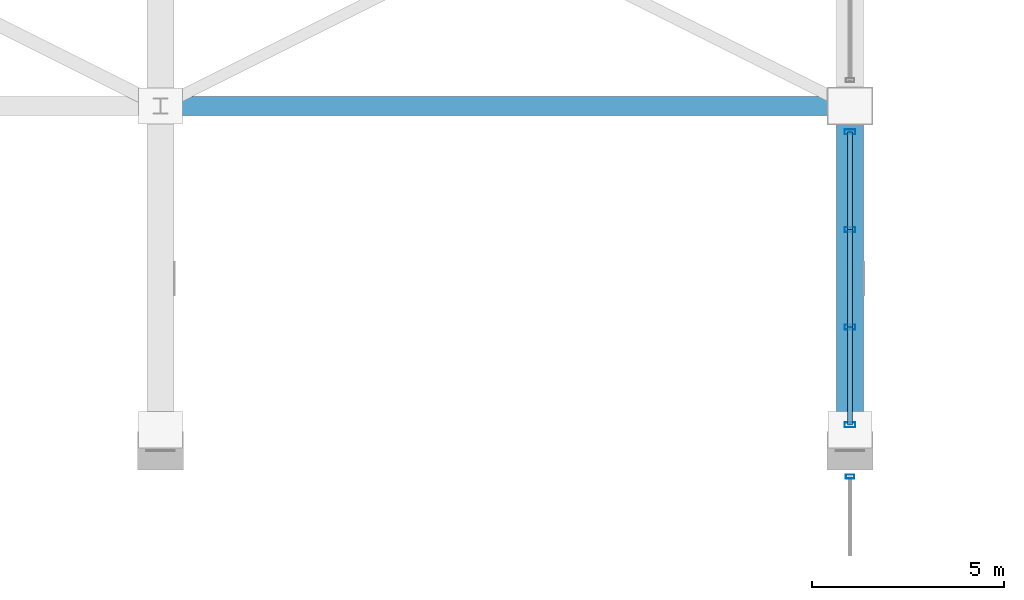
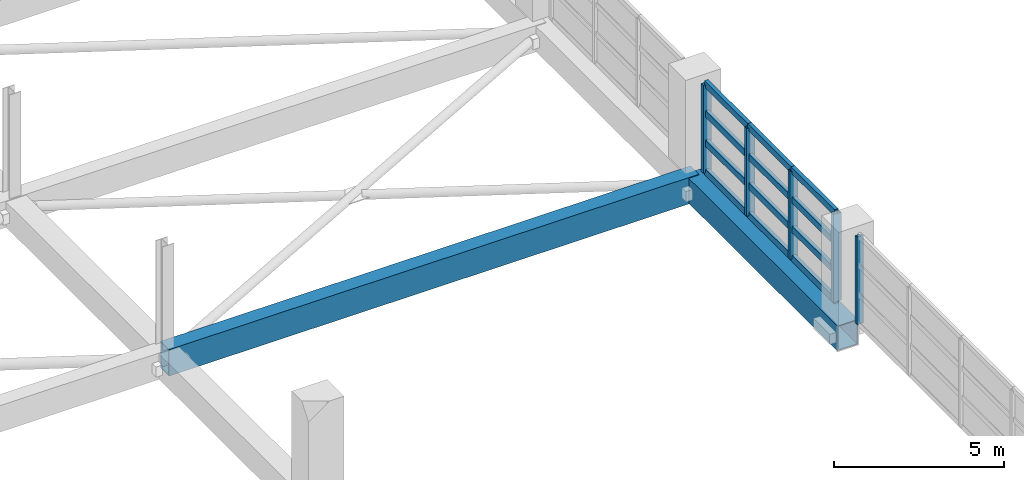
# One storey, part 47 of 116: 17 members, 2 beams, 2 elements without a shape of their own.
"""IFC4 building model written with IfcOpenShell, lengths in metres."""

from ifc_helpers import new_model, si_unit, direction, frame, origin, origin_2d, place, context, subcontext, project, spatial, hollow_rectangle, extrude, material, material_profile, profile_set, type_object, element, aggregate, save


model = new_model("IFC4")

# Units and contexts
model_context = context("Model", 3, precision=1e-05, world=origin(), true_north=direction((0.0, 1.0)))
body_context = subcontext(model_context, "Body", "Model", "MODEL_VIEW")
ifc_project = project(units=[si_unit("LENGTHUNIT", "METRE"), si_unit("AREAUNIT", "SQUARE_METRE"), si_unit("VOLUMEUNIT", "CUBIC_METRE"), si_unit("PLANEANGLEUNIT", "RADIAN"), si_unit("MASSUNIT", "GRAM", prefix="KILO")], contexts=[model_context])

# Site, building, storey
site_placement = place(None, origin())
site = spatial("IfcSite", under=ifc_project, at=site_placement, CompositionType="ELEMENT")
building_placement = place(site_placement, origin())
building = spatial("IfcBuilding", under=site, at=building_placement, Name="Chuanluo Vaults Station", CompositionType="ELEMENT")
storey_placement = place(building_placement, frame((0.0, 0.0, 10.800048828125)))
storey = spatial("IfcBuildingStorey", under=building, at=storey_placement, Name="L02", CompositionType="ELEMENT", Elevation=10.800048828125)

# Beams
ifc_material_1 = material(Name="Steel Q390C", Category="steel")
ifc_material_profile_1 = material_profile(ifc_material_1, hollow_rectangle(XDim=0.5, YDim=0.949951171875, WallThickness=0.028076171875, at=origin_2d()))
ifc_profile_set_1 = profile_set([ifc_material_profile_1], Name="Steel Q390C")
beam_type_1 = type_object("IfcBeamType", Name="BM-TT-TIE", PredefinedType="USERDEFINED", material=ifc_profile_set_1)
beam_1_placement = place(storey_placement, frame((108.0, 76.5, -0.85009765625), z_axis=(1.0, 0.0, 0.0), x_axis=(0.0, 1.0, 0.0)))
element("IfcBeam", 1, at=beam_1_placement, inside=storey, type_object=beam_type_1, Name="Transfer truss top tie girder 7-76", ObjectType="GIRDER", PredefinedType="USERDEFINED", context=body_context, shape_type="SweptSolid", body=[
    extrude(hollow_rectangle(XDim=0.5, YDim=0.949951171875, WallThickness=0.028076171875, at=origin_2d()), origin(), (0.0, 0.0, 1.0), 18.0),
])
ifc_material_2 = material(Name="Steel Q390C", Category="steel")
ifc_material_profile_2 = material_profile(ifc_material_2, hollow_rectangle(XDim=0.699951171875, YDim=0.89990234375, WallThickness=0.035888671875, at=origin_2d()))
ifc_profile_set_2 = profile_set([ifc_material_profile_2], Name="Steel Q390C")
beam_type_2 = type_object("IfcBeamType", Name="BM-TT-TOP", PredefinedType="USERDEFINED", material=ifc_profile_set_2)
beam_2_placement = place(storey_placement, frame((126.0, 67.5, -0.85009765625), z_axis=(0.0, 1.0, 0.0), x_axis=(-1.0, 0.0, 0.0)))
element("IfcBeam", 2, at=beam_2_placement, inside=storey, type_object=beam_type_2, Name="Transfer truss TT-8 top chord 1", ObjectType="GIRDER", PredefinedType="USERDEFINED", context=body_context, shape_type="SweptSolid", body=[
    extrude(hollow_rectangle(XDim=0.699951171875, YDim=0.89990234375, WallThickness=0.035888671875, at=origin_2d()), origin(), (0.0, 0.0, 1.0), 9.0),
])

# Curtain wall, member
ifc_material_3 = material(Name="Anodised aluminium 6063-T6", Category="aluminium")
curtain_wall_type_1 = type_object("IfcCurtainWallType", Name="CW-SYS-12", PredefinedType="NOTDEFINED", material=ifc_material_3)
curtain_wall_1_placement = place(storey_placement, origin())
curtain_wall_1 = element("IfcCurtainWall", 3, at=curtain_wall_1_placement, inside=storey, type_object=curtain_wall_type_1, Name="Train shed east clerestory CW 54", PredefinedType="NOTDEFINED")
ifc_material_4 = material(Name="Anodised aluminium 6063-T6", Category="aluminium")
ifc_material_profile_3 = material_profile(ifc_material_4, hollow_rectangle(XDim=0.10498046875, YDim=0.219970703125, WallThickness=0.006103515625, at=origin_2d()))
ifc_profile_set_3 = profile_set([ifc_material_profile_3], Name="Anodised aluminium 6063-T6")
member_type_1 = type_object("IfcMemberType", Name="CWM-140", PredefinedType="MULLION", material=ifc_profile_set_3)
member_1_placement = place(storey_placement, frame((126.0, 66.824951171875, 0.0), z_axis=(0.0, 0.0, 1.0), x_axis=(0.0, -1.0, 0.0)))
member_1 = element("IfcMember", 4, at=member_1_placement, type_object=member_type_1, Name="Train shed east clerestory CW 54 mullion 1", PredefinedType="MULLION", context=body_context, shape_type="SweptSolid", body=[
    extrude(hollow_rectangle(XDim=0.10498046875, YDim=0.219970703125, WallThickness=0.006103515625, at=origin_2d()), origin(), (0.0, 0.0, 1.0), 3.14990234375),
])
aggregate(curtain_wall_1, [member_1])

# Curtain wall, members
ifc_material_5 = material(Name="Anodised aluminium 6063-T6", Category="aluminium")
curtain_wall_type_2 = type_object("IfcCurtainWallType", Name="CW-SYS-14", PredefinedType="NOTDEFINED", material=ifc_material_5)
curtain_wall_2_placement = place(storey_placement, origin())
curtain_wall_2 = element("IfcCurtainWall", 5, at=curtain_wall_2_placement, inside=storey, type_object=curtain_wall_type_2, Name="Train shed east clerestory CW 67", PredefinedType="NOTDEFINED")
ifc_material_6 = material(Name="Anodised aluminium 6063-T6", Category="aluminium")
ifc_material_profile_4 = material_profile(ifc_material_6, hollow_rectangle(XDim=0.1298828125, YDim=0.280029296875, WallThickness=0.007080078125, at=origin_2d()))
ifc_profile_set_4 = profile_set([ifc_material_profile_4], Name="Anodised aluminium 6063-T6")
member_type_2 = type_object("IfcMemberType", Name="CWM-180", PredefinedType="MULLION", material=ifc_profile_set_4)
member_2_placement = place(storey_placement, frame((126.0, 75.824951171875, 0.0), z_axis=(0.0, 0.0, 1.0), x_axis=(0.0, -1.0, 0.0)))
member_2 = element("IfcMember", 6, at=member_2_placement, type_object=member_type_2, Name="Train shed east clerestory CW 67 mullion 1", PredefinedType="MULLION", context=body_context, shape_type="SweptSolid", body=[
    extrude(hollow_rectangle(XDim=0.1298828125, YDim=0.280029296875, WallThickness=0.007080078125, at=origin_2d()), origin(), (0.0, 0.0, 1.0), 3.14990234375),
])
member_3_placement = place(storey_placement, frame((126.0, 73.27490234375, 0.0), z_axis=(0.0, 0.0, 1.0), x_axis=(0.0, -1.0, 0.0)))
member_3 = element("IfcMember", 7, at=member_3_placement, type_object=member_type_2, Name="Train shed east clerestory CW 67 mullion 2", PredefinedType="MULLION", context=body_context, shape_type="SweptSolid", body=[
    extrude(hollow_rectangle(XDim=0.1298828125, YDim=0.280029296875, WallThickness=0.007080078125, at=origin_2d()), origin(), (0.0, 0.0, 1.0), 3.14990234375),
])
member_4_placement = place(storey_placement, frame((126.0, 70.72509765625, 0.0), z_axis=(0.0, 0.0, 1.0), x_axis=(0.0, -1.0, 0.0)))
member_4 = element("IfcMember", 8, at=member_4_placement, type_object=member_type_2, Name="Train shed east clerestory CW 67 mullion 3", PredefinedType="MULLION", context=body_context, shape_type="SweptSolid", body=[
    extrude(hollow_rectangle(XDim=0.1298828125, YDim=0.280029296875, WallThickness=0.007080078125, at=origin_2d()), origin(), (0.0, 0.0, 1.0), 3.14990234375),
])
member_5_placement = place(storey_placement, frame((126.0, 68.175048828125, 0.0), z_axis=(0.0, 0.0, 1.0), x_axis=(0.0, -1.0, 0.0)))
member_5 = element("IfcMember", 9, at=member_5_placement, type_object=member_type_2, Name="Train shed east clerestory CW 67 mullion 4", PredefinedType="MULLION", context=body_context, shape_type="SweptSolid", body=[
    extrude(hollow_rectangle(XDim=0.1298828125, YDim=0.280029296875, WallThickness=0.007080078125, at=origin_2d()), origin(), (0.0, 0.0, 1.0), 3.14990234375),
])
ifc_material_7 = material(Name="Anodised aluminium 6063-T6", Category="aluminium")
ifc_material_profile_5 = material_profile(ifc_material_7, hollow_rectangle(XDim=0.1298828125, YDim=0.22998046875, WallThickness=0.006103515625, at=origin_2d()))
ifc_profile_set_5 = profile_set([ifc_material_profile_5], Name="Anodised aluminium 6063-T6")
member_type_3 = type_object("IfcMemberType", Name="CWT-150", PredefinedType="USERDEFINED", material=ifc_profile_set_5)
member_6_placement = place(storey_placement, frame((126.0, 75.824951171875, 0.0), z_axis=(0.0, -1.0, 0.0), x_axis=(1.0, 0.0, 0.0)))
member_6 = element("IfcMember", 10, at=member_6_placement, type_object=member_type_3, Name="Train shed east clerestory CW 67 transom 1.1", ObjectType="TRANSOM", PredefinedType="USERDEFINED", context=body_context, shape_type="SweptSolid", body=[
    extrude(hollow_rectangle(XDim=0.1298828125, YDim=0.22998046875, WallThickness=0.006103515625, at=origin_2d()), origin(), (0.0, 0.0, 1.0), 2.550048828125),
])
member_7_placement = place(storey_placement, frame((126.0, 75.824951171875, 1.050048828125), z_axis=(0.0, -1.0, 0.0), x_axis=(1.0, 0.0, 0.0)))
member_7 = element("IfcMember", 11, at=member_7_placement, type_object=member_type_3, Name="Train shed east clerestory CW 67 transom 1.2", ObjectType="TRANSOM", PredefinedType="USERDEFINED", context=body_context, shape_type="SweptSolid", body=[
    extrude(hollow_rectangle(XDim=0.1298828125, YDim=0.22998046875, WallThickness=0.006103515625, at=origin_2d()), origin(), (0.0, 0.0, 1.0), 2.550048828125),
])
member_8_placement = place(storey_placement, frame((126.0, 75.824951171875, 2.099853515625), z_axis=(0.0, -1.0, 0.0), x_axis=(1.0, 0.0, 0.0)))
member_8 = element("IfcMember", 12, at=member_8_placement, type_object=member_type_3, Name="Train shed east clerestory CW 67 transom 1.3", ObjectType="TRANSOM", PredefinedType="USERDEFINED", context=body_context, shape_type="SweptSolid", body=[
    extrude(hollow_rectangle(XDim=0.1298828125, YDim=0.22998046875, WallThickness=0.006103515625, at=origin_2d()), origin(), (0.0, 0.0, 1.0), 2.550048828125),
])
member_9_placement = place(storey_placement, frame((126.0, 75.824951171875, 3.14990234375), z_axis=(0.0, -1.0, 0.0), x_axis=(1.0, 0.0, 0.0)))
member_9 = element("IfcMember", 13, at=member_9_placement, type_object=member_type_3, Name="Train shed east clerestory CW 67 transom 1.4", ObjectType="TRANSOM", PredefinedType="USERDEFINED", context=body_context, shape_type="SweptSolid", body=[
    extrude(hollow_rectangle(XDim=0.1298828125, YDim=0.22998046875, WallThickness=0.006103515625, at=origin_2d()), origin(), (0.0, 0.0, 1.0), 2.550048828125),
])
member_10_placement = place(storey_placement, frame((126.0, 73.27490234375, 0.0), z_axis=(0.0, -1.0, 0.0), x_axis=(1.0, 0.0, 0.0)))
member_10 = element("IfcMember", 14, at=member_10_placement, type_object=member_type_3, Name="Train shed east clerestory CW 67 transom 2.1", ObjectType="TRANSOM", PredefinedType="USERDEFINED", context=body_context, shape_type="SweptSolid", body=[
    extrude(hollow_rectangle(XDim=0.1298828125, YDim=0.22998046875, WallThickness=0.006103515625, at=origin_2d()), origin(), (0.0, 0.0, 1.0), 2.5498046875),
])
member_11_placement = place(storey_placement, frame((126.0, 73.27490234375, 1.050048828125), z_axis=(0.0, -1.0, 0.0), x_axis=(1.0, 0.0, 0.0)))
member_11 = element("IfcMember", 15, at=member_11_placement, type_object=member_type_3, Name="Train shed east clerestory CW 67 transom 2.2", ObjectType="TRANSOM", PredefinedType="USERDEFINED", context=body_context, shape_type="SweptSolid", body=[
    extrude(hollow_rectangle(XDim=0.1298828125, YDim=0.22998046875, WallThickness=0.006103515625, at=origin_2d()), origin(), (0.0, 0.0, 1.0), 2.5498046875),
])
member_12_placement = place(storey_placement, frame((126.0, 73.27490234375, 2.099853515625), z_axis=(0.0, -1.0, 0.0), x_axis=(1.0, 0.0, 0.0)))
member_12 = element("IfcMember", 16, at=member_12_placement, type_object=member_type_3, Name="Train shed east clerestory CW 67 transom 2.3", ObjectType="TRANSOM", PredefinedType="USERDEFINED", context=body_context, shape_type="SweptSolid", body=[
    extrude(hollow_rectangle(XDim=0.1298828125, YDim=0.22998046875, WallThickness=0.006103515625, at=origin_2d()), origin(), (0.0, 0.0, 1.0), 2.5498046875),
])
member_13_placement = place(storey_placement, frame((126.0, 73.27490234375, 3.14990234375), z_axis=(0.0, -1.0, 0.0), x_axis=(1.0, 0.0, 0.0)))
member_13 = element("IfcMember", 17, at=member_13_placement, type_object=member_type_3, Name="Train shed east clerestory CW 67 transom 2.4", ObjectType="TRANSOM", PredefinedType="USERDEFINED", context=body_context, shape_type="SweptSolid", body=[
    extrude(hollow_rectangle(XDim=0.1298828125, YDim=0.22998046875, WallThickness=0.006103515625, at=origin_2d()), origin(), (0.0, 0.0, 1.0), 2.5498046875),
])
member_14_placement = place(storey_placement, frame((126.0, 70.72509765625, 0.0), z_axis=(0.0, -1.0, 0.0), x_axis=(1.0, 0.0, 0.0)))
member_14 = element("IfcMember", 18, at=member_14_placement, type_object=member_type_3, Name="Train shed east clerestory CW 67 transom 3.1", ObjectType="TRANSOM", PredefinedType="USERDEFINED", context=body_context, shape_type="SweptSolid", body=[
    extrude(hollow_rectangle(XDim=0.1298828125, YDim=0.22998046875, WallThickness=0.006103515625, at=origin_2d()), origin(), (0.0, 0.0, 1.0), 2.550048828125),
])
member_15_placement = place(storey_placement, frame((126.0, 70.72509765625, 1.050048828125), z_axis=(0.0, -1.0, 0.0), x_axis=(1.0, 0.0, 0.0)))
member_15 = element("IfcMember", 19, at=member_15_placement, type_object=member_type_3, Name="Train shed east clerestory CW 67 transom 3.2", ObjectType="TRANSOM", PredefinedType="USERDEFINED", context=body_context, shape_type="SweptSolid", body=[
    extrude(hollow_rectangle(XDim=0.1298828125, YDim=0.22998046875, WallThickness=0.006103515625, at=origin_2d()), origin(), (0.0, 0.0, 1.0), 2.550048828125),
])
member_16_placement = place(storey_placement, frame((126.0, 70.72509765625, 2.099853515625), z_axis=(0.0, -1.0, 0.0), x_axis=(1.0, 0.0, 0.0)))
member_16 = element("IfcMember", 20, at=member_16_placement, type_object=member_type_3, Name="Train shed east clerestory CW 67 transom 3.3", ObjectType="TRANSOM", PredefinedType="USERDEFINED", context=body_context, shape_type="SweptSolid", body=[
    extrude(hollow_rectangle(XDim=0.1298828125, YDim=0.22998046875, WallThickness=0.006103515625, at=origin_2d()), origin(), (0.0, 0.0, 1.0), 2.550048828125),
])
member_17_placement = place(storey_placement, frame((126.0, 70.72509765625, 3.14990234375), z_axis=(0.0, -1.0, 0.0), x_axis=(1.0, 0.0, 0.0)))
member_17 = element("IfcMember", 21, at=member_17_placement, type_object=member_type_3, Name="Train shed east clerestory CW 67 transom 3.4", ObjectType="TRANSOM", PredefinedType="USERDEFINED", context=body_context, shape_type="SweptSolid", body=[
    extrude(hollow_rectangle(XDim=0.1298828125, YDim=0.22998046875, WallThickness=0.006103515625, at=origin_2d()), origin(), (0.0, 0.0, 1.0), 2.550048828125),
])
aggregate(curtain_wall_2, [member_2, member_3, member_4, member_5, member_6, member_7, member_8, member_9, member_10, member_11, member_12, member_13, member_14, member_15, member_16, member_17])

save(model, "model.ifc")
